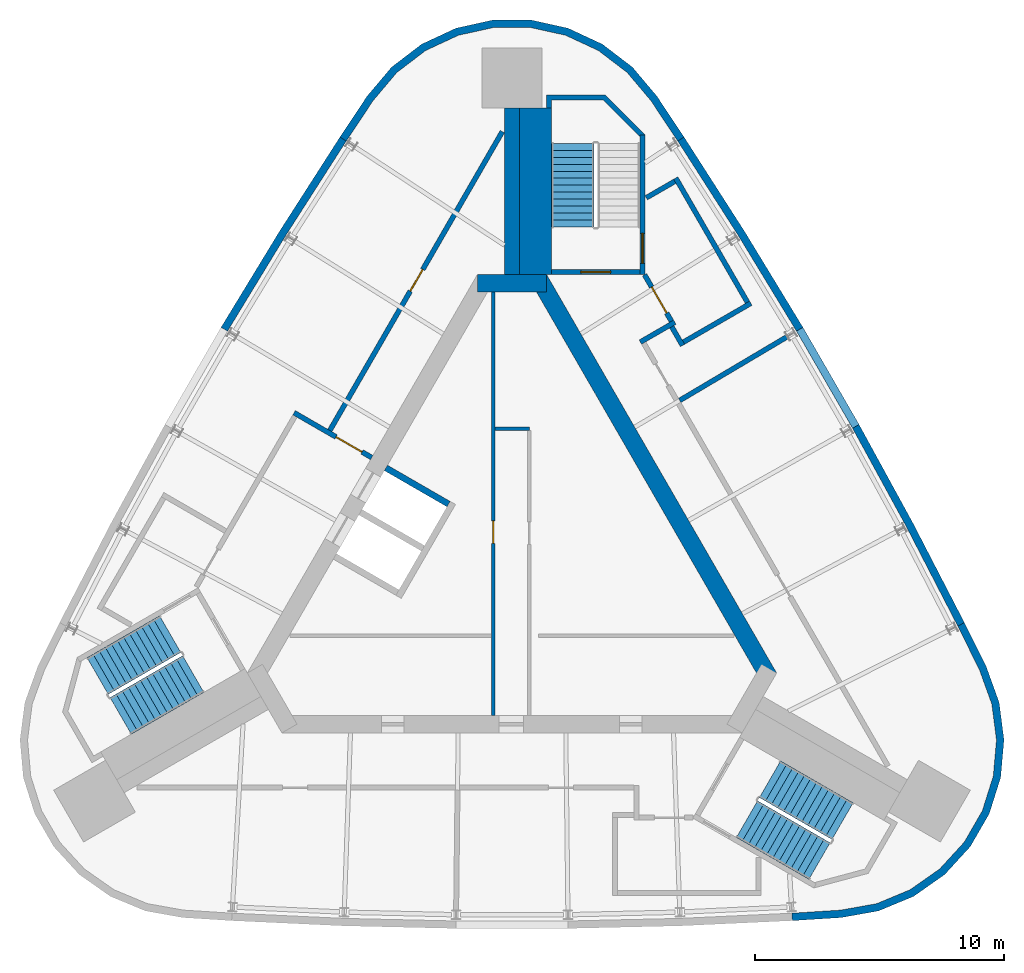
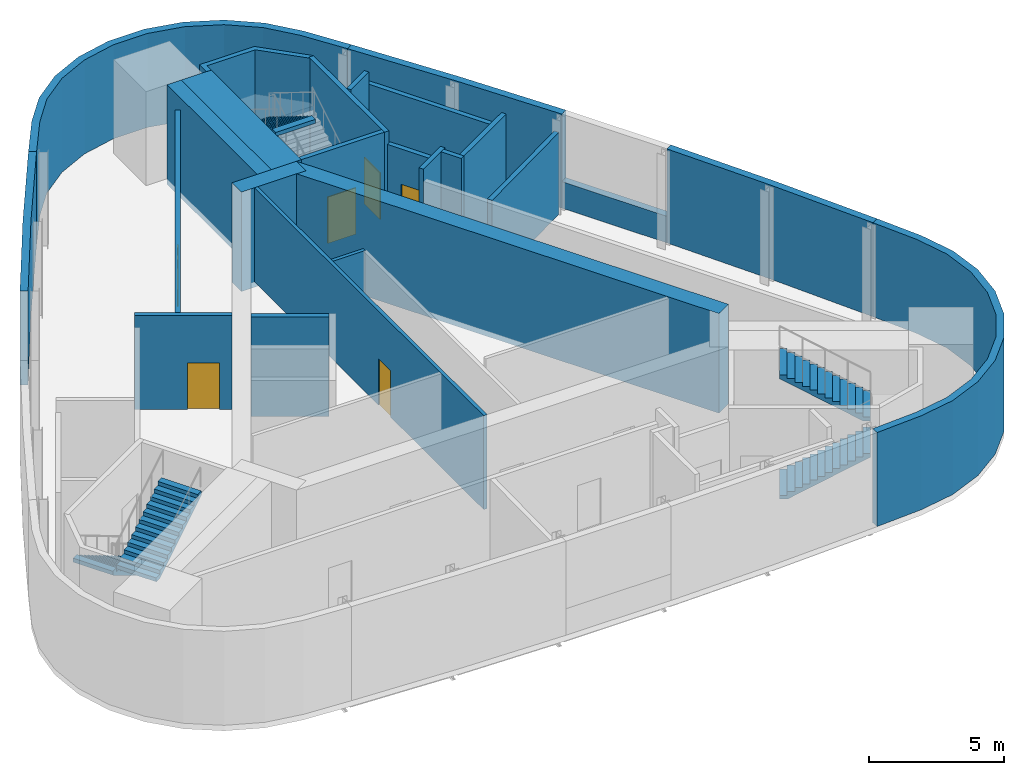
# One storey, part 5 of 7: 25 walls, 6 doors, 5 stair flights, 6 openings, 3 elements without a shape of their own.
"""IFC4 building model written with IfcOpenShell, lengths in metres."""

from ifc_helpers import new_model, si_unit, direction, frame, frame_2d, origin, place, context, subcontext, project, spatial, polyline, rectangle, outline, extrude, material, layer, layer_set, type_object, element, fill, aggregate, save


model = new_model("IFC4")

# Units and contexts
model_context = context("Model", 3, precision=1e-05, world=origin(), true_north=direction((0.0, 1.0)))
body_context = subcontext(model_context, "Body", "Model", "MODEL_VIEW")
ifc_project = project(units=[si_unit("LENGTHUNIT", "METRE"), si_unit("AREAUNIT", "SQUARE_METRE"), si_unit("VOLUMEUNIT", "CUBIC_METRE"), si_unit("PLANEANGLEUNIT", "RADIAN"), si_unit("MASSUNIT", "GRAM", prefix="KILO")], contexts=[model_context])

# Site, building, storey
site_placement = place(None, origin())
site = spatial("IfcSite", under=ifc_project, at=site_placement, CompositionType="ELEMENT")
building_placement = place(site_placement, origin())
building = spatial("IfcBuilding", under=site, at=building_placement, Name="Noor Cloister Tower", CompositionType="ELEMENT")
storey_placement = place(building_placement, frame((0.0, 0.0, 279.60009765625)))
storey = spatial("IfcBuildingStorey", under=building, at=storey_placement, Name="L71", CompositionType="ELEMENT", Elevation=279.60009765625)

# Wall
ifc_material_1 = material(Name="Concrete C50/60", Category="concrete")
ifc_layer_1 = layer(ifc_material_1, 0.60009765625)
ifc_layer_set_1 = layer_set([ifc_layer_1], Name="Buttress wall 600 C50/60")
wall_type_1 = type_object("IfcWallType", Name="Buttress wall 600 C50/60", PredefinedType="SHEAR", material=ifc_layer_set_1)
wall_1_placement = place(storey_placement, frame((0.0, 11.456298828125, -0.25), z_axis=(0.0, 0.0, 1.0), x_axis=(0.0, 1.0, 0.0)))
element("IfcWall", 1, at=wall_1_placement, inside=storey, type_object=wall_type_1, Name="Buttress wall N L71", PredefinedType="SHEAR", context=body_context, shape_type="SweptSolid", body=[
    extrude(rectangle(XDim=6.6787109375, YDim=0.60009765625, at=frame_2d((3.33935546875, 0.0))), origin(), (0.0, 0.0, 1.0), 4.5),
])

# Wall, opening, door
ifc_material_2 = material(Name="Concrete C30/37", Category="concrete")
ifc_layer_2 = layer(ifc_material_2, 0.14990234375)
ifc_layer_set_2 = layer_set([ifc_layer_2], Name="Core partition 150 C30/37")
wall_type_2 = type_object("IfcWallType", Name="Core partition 150 C30/37", PredefinedType="PARTITIONING", material=ifc_layer_set_2)
wall_2_placement = place(storey_placement, frame((-0.753662109375, 10.75634765625, 0.0), z_axis=(0.0, 0.0, 1.0), x_axis=(0.0, -1.0, 0.0)))
wall_2 = element("IfcWall", 2, at=wall_2_placement, inside=storey, type_object=wall_type_2, Name="Core room partition L71 2", PredefinedType="PARTITIONING", context=body_context, shape_type="SweptSolid", body=[
    extrude(rectangle(XDim=16.984619140625, YDim=0.14990234375, at=frame_2d((8.4921875, 0.0))), origin(), (0.0, 0.0, 1.0), 4.25),
])
opening_1_placement = place(wall_2_placement, frame((9.1845703125, 0.0, 0.0)))
opening_1 = element("IfcOpeningElement", 3, at=opening_1_placement, cuts=wall_2, Name="Opening L71-904", PredefinedType="OPENING", context=body_context, shape_type="SweptSolid", body=[
    extrude(rectangle(XDim=0.89990234375, YDim=2.10009765625, at=frame_2d((0.449951171875, 1.050048828125))), frame((0.0, 0.0849609375, 0.0), z_axis=(0.0, -1.0, 0.0), x_axis=(1.0, 0.0, 0.0)), (0.0, 0.0, 1.0), 0.169921875),
])
ifc_material_3 = material(Name="Steel", Category="steel")
door_type_1 = type_object("IfcDoorType", Name="Core door 900 x 2100 FD120", OperationType="SINGLE_SWING_LEFT", PredefinedType="DOOR", material=ifc_material_3)
door_1_placement = place(opening_1_placement, origin())
door_1 = element("IfcDoor", 4, at=door_1_placement, inside=storey, type_object=door_type_1, Name="Core door 4 L71", OperationType="SINGLE_SWING_RIGHT", OverallHeight=2.10009765625, OverallWidth=0.89990234375, PredefinedType="DOOR", context=body_context, shape_type="SweptSolid", body=[
    extrude(rectangle(XDim=0.89990234375, YDim=2.10009765625, at=frame_2d((0.449951171875, 1.050048828125))), frame((0.0, 0.02490234375, 0.0), z_axis=(0.0, -1.0, 0.0), x_axis=(1.0, 0.0, 0.0)), (0.0, 0.0, 1.0), 0.050048828125),
])
fill(opening_1, door_1)

# Walls
wall_3_placement = place(storey_placement, frame((-0.6787109375, 5.271728515625, 0.0), z_axis=(0.0, 0.0, 1.0), x_axis=(1.0, 0.0, 0.0)))
element("IfcWall", 5, at=wall_3_placement, inside=storey, type_object=wall_type_2, Name="Core room partition L71 3", PredefinedType="PARTITIONING", context=body_context, shape_type="SweptSolid", body=[
    extrude(rectangle(XDim=1.375, YDim=0.14990234375, at=frame_2d((0.6875, 0.0))), origin(), (0.0, 0.0, 1.0), 4.25),
])
ifc_material_4 = material(Name="Concrete C50/60", Category="concrete")
ifc_layer_3 = layer(ifc_material_4, 0.699951171875)
ifc_layer_set_3 = layer_set([ifc_layer_3], Name="Core wall 700 C50/60")
wall_type_3 = type_object("IfcWallType", Name="Core wall 700 C50/60", PredefinedType="SHEAR", material=ifc_layer_set_3)
wall_4_placement = place(storey_placement, frame((10.311279296875, -4.703125, -0.25), z_axis=(0.0, 0.0, 1.0), x_axis=(-0.500001446645, 0.866024568562, 0.0)))
element("IfcWall", 6, at=wall_4_placement, inside=storey, type_object=wall_type_3, Name="Core wall L71 3", PredefinedType="SHEAR", context=body_context, shape_type="SweptSolid", body=[
    extrude(rectangle(XDim=18.45751953125, YDim=0.699951171875, at=frame_2d((9.228759765625, 0.0))), origin(), (0.0, 0.0, 1.0), 4.5),
])
wall_5_placement = place(storey_placement, frame((1.3857421875, 11.1064453125, -0.25), z_axis=(0.0, 0.0, 1.0), x_axis=(-1.0, 0.0, 0.0)))
element("IfcWall", 7, at=wall_5_placement, inside=storey, type_object=wall_type_3, Name="Core wall L71 4", PredefinedType="SHEAR", context=body_context, shape_type="SweptSolid", body=[
    extrude(rectangle(XDim=2.771484375, YDim=0.699951171875, at=frame_2d((1.3857421875, 0.0))), origin(), (0.0, 0.0, 1.0), 4.5),
])
ifc_material_5 = material(Name="Limestone", Category="masonry")
ifc_layer_4 = layer(ifc_material_5, 0.300048828125)
ifc_layer_set_4 = layer_set([ifc_layer_4], Name="Limestone cladding 300")
wall_type_4 = type_object("IfcWallType", Name="Limestone cladding 300", PredefinedType="NOTDEFINED", material=ifc_layer_set_4)
wall_6_placement = place(storey_placement, origin())
element("IfcWall", 8, at=wall_6_placement, inside=storey, type_object=wall_type_4, Name="Limestone pier cladding L71 2.1", PredefinedType="NOTDEFINED", context=body_context, shape_type="SweptSolid", body=[
    extrude(outline(polyline([(11.24365234375, -14.46044921875), (13.21142578125, -14.336181640625), (14.707763671875, -14.068603515625), (16.11083984375, -13.484619140625), (17.35498046875, -12.611083984375), (18.381103515625, -11.489990234375), (19.14111328125, -10.173583984375), (19.59912109375, -8.724365234375), (19.7333984375, -7.210205078125), (19.53759765625, -5.702880859375), (19.021240234375, -4.2734375), (18.14501953125, -2.507080078125), (17.876220703125, -2.640380859375), (18.744873046875, -4.391357421875), (19.244384765625, -5.77392578125), (19.431640625, -7.21630859375), (19.30322265625, -8.6650390625), (18.864990234375, -10.052001953125), (18.1376953125, -11.3115234375), (17.15576171875, -12.384521484375), (15.96533203125, -13.22021484375), (14.62255859375, -13.779052734375), (13.175537109375, -14.037841796875), (11.224853515625, -14.1611328125), (11.24365234375, -14.46044921875)])), origin(), (0.0, 0.0, 1.0), 4.25),
])
wall_7_placement = place(storey_placement, origin())
element("IfcWall", 9, at=wall_7_placement, inside=storey, type_object=wall_type_4, Name="Limestone pier cladding L71 3.1", PredefinedType="NOTDEFINED", context=body_context, shape_type="SweptSolid", body=[
    extrude(outline(polyline([(6.9013671875, 16.967529296875), (5.809814453125, 18.609619140625), (4.830078125, 19.771484375), (3.62255859375, 20.69482421875), (2.244140625, 21.33544921875), (0.760009765625, 21.66357421875), (-0.760009765625, 21.66357421875), (-2.244140625, 21.33544921875), (-3.62255859375, 20.69482421875), (-4.830078125, 19.771484375), (-5.809814453125, 18.609619140625), (-6.9013671875, 16.967529296875), (-6.6513671875, 16.801513671875), (-5.5693359375, 18.42919921875), (-4.621826171875, 19.55322265625), (-3.46630859375, 20.4365234375), (-2.1474609375, 21.049560546875), (-0.727294921875, 21.363525390625), (0.727294921875, 21.363525390625), (2.1474609375, 21.049560546875), (3.46630859375, 20.4365234375), (4.621826171875, 19.55322265625), (5.5693359375, 18.42919921875), (6.6513671875, 16.801513671875), (6.9013671875, 16.967529296875)])), origin(), (0.0, 0.0, 1.0), 4.25),
])
ifc_material_6 = material(Name="Limestone", Category="masonry")
ifc_layer_5 = layer(ifc_material_6, 0.300048828125)
ifc_layer_set_5 = layer_set([ifc_layer_5], Name="Limestone panel wall 300")
wall_type_5 = type_object("IfcWallType", Name="Limestone panel wall 300", PredefinedType="NOTDEFINED", material=ifc_layer_set_5)
wall_8_placement = place(storey_placement, origin())
element("IfcWall", 10, at=wall_8_placement, inside=storey, type_object=wall_type_5, Name="Limestone crown wall L71 1a", PredefinedType="NOTDEFINED", context=body_context, shape_type="SweptSolid", body=[
    extrude(outline(polyline([(-6.9013671875, 16.967529296875), (-9.32958984375, 13.178955078125), (-11.669189453125, 9.335205078125), (-11.4130859375, 9.17919921875), (-9.074951171875, 13.02001953125), (-6.648681640625, 16.8056640625), (-6.9013671875, 16.967529296875)])), origin(), (0.0, 0.0, 1.0), 4.25),
])
wall_9_placement = place(storey_placement, origin())
element("IfcWall", 11, at=wall_9_placement, inside=storey, type_object=wall_type_5, Name="Limestone crown wall L71 3a", PredefinedType="NOTDEFINED", context=body_context, shape_type="SweptSolid", body=[
    extrude(outline(polyline([(18.14501953125, -2.507080078125), (16.078125, 1.489990234375), (13.919189453125, 5.438232421875), (13.656005859375, 5.294189453125), (15.813232421875, 1.34912109375), (17.87841796875, -2.644775390625), (18.14501953125, -2.507080078125)])), origin(), (0.0, 0.0, 1.0), 4.25),
])
wall_10_placement = place(storey_placement, origin())
element("IfcWall", 12, at=wall_10_placement, inside=storey, type_object=wall_type_5, Name="Limestone crown wall L71 3b", PredefinedType="NOTDEFINED", context=body_context, shape_type="SweptSolid", body=[
    extrude(outline(polyline([(11.669189453125, 9.335205078125), (9.32958984375, 13.178955078125), (6.9013671875, 16.967529296875), (6.648681640625, 16.8056640625), (9.074951171875, 13.02001953125), (11.4130859375, 9.17919921875), (11.669189453125, 9.335205078125)])), origin(), (0.0, 0.0, 1.0), 4.25),
])
wall_11_placement = place(storey_placement, origin())
element("IfcWall", 13, at=wall_11_placement, inside=storey, type_object=wall_type_5, Name="Limestone crown wall L71 3 lower", PredefinedType="NOTDEFINED", context=body_context, shape_type="SweptSolid", body=[
    extrude(outline(polyline([(13.919189453125, 5.438232421875), (11.669189453125, 9.335205078125), (11.409423828125, 9.185302734375), (13.659423828125, 5.288330078125), (13.919189453125, 5.438232421875)])), origin(), (0.0, 0.0, 1.0), 1.199951171875),
])
ifc_material_7 = material(Name="Concrete C50/60", Category="concrete")
ifc_layer_6 = layer(ifc_material_7, 0.25)
ifc_layer_set_6 = layer_set([ifc_layer_6], Name="Shaft wall 250 C50/60")
wall_type_6 = type_object("IfcWallType", Name="Shaft wall 250 C50/60", PredefinedType="PARTITIONING", material=ifc_layer_set_6)
wall_12_placement = place(storey_placement, frame((-5.056396484375, 3.69873046875, -0.25), z_axis=(0.0, 0.0, 1.0), x_axis=(0.866032775405, -0.499987231761, 0.0)))
element("IfcWall", 14, at=wall_12_placement, inside=storey, type_object=wall_type_6, Name="Lift shaft wall L71 NW 3", PredefinedType="PARTITIONING", context=body_context, shape_type="SweptSolid", body=[
    extrude(rectangle(XDim=2.89990234375, YDim=0.25, at=frame_2d((1.449951171875, 0.0))), origin(), (0.0, 0.0, 1.0), 4.5),
])
ifc_material_8 = material(Name="Concrete C50/60", Category="concrete")
ifc_layer_7 = layer(ifc_material_8, 1.285888671875)
ifc_layer_set_7 = layer_set([ifc_layer_7], Name="Stair enclosure wall 1286 C50/60")
wall_type_7 = type_object("IfcWallType", Name="Stair enclosure wall 1286 C50/60", PredefinedType="SHEAR", material=ifc_layer_set_7)
wall_13_placement = place(storey_placement, frame((0.94287109375, 11.456298828125, -0.25), z_axis=(0.0, 0.0, 1.0), x_axis=(0.0, 1.0, 0.0)))
element("IfcWall", 15, at=wall_13_placement, inside=storey, type_object=wall_type_7, Name="Stair enclosure wall ST1 L71 riser side", PredefinedType="SHEAR", context=body_context, shape_type="SweptSolid", body=[
    extrude(rectangle(XDim=6.6787109375, YDim=1.28564453125, at=frame_2d((3.33935546875, 0.0))), origin(), (0.0, 0.0, 1.0), 4.5),
])

# Wall, opening, door
ifc_material_9 = material(Name="Concrete C50/60", Category="concrete")
ifc_layer_8 = layer(ifc_material_9, 0.199951171875)
ifc_layer_set_8 = layer_set([ifc_layer_8], Name="Stair enclosure wall 200 C50/60")
wall_type_8 = type_object("IfcWallType", Name="Stair enclosure wall 200 C50/60", PredefinedType="SHEAR", material=ifc_layer_set_8)
wall_14_placement = place(storey_placement, frame((5.135498046875, 11.556396484375, -0.25), z_axis=(0.0, 0.0, 1.0), x_axis=(-1.0, 0.0, 0.0)))
wall_14 = element("IfcWall", 16, at=wall_14_placement, inside=storey, type_object=wall_type_8, Name="Stair enclosure wall ST1 L71 near end", PredefinedType="SHEAR", context=body_context, shape_type="SweptSolid", body=[
    extrude(rectangle(XDim=3.5498046875, YDim=0.199951171875, at=frame_2d((1.77490234375, 0.0))), origin(), (0.0, 0.0, 1.0), 4.5),
])
opening_2_placement = place(wall_14_placement, frame((1.175048828125, 0.0, 0.25)))
opening_2 = element("IfcOpeningElement", 17, at=opening_2_placement, cuts=wall_14, Name="Opening L71-ST1L", PredefinedType="OPENING", context=body_context, shape_type="SweptSolid", body=[
    extrude(rectangle(XDim=1.199951171875, YDim=2.10009765625, at=frame_2d((0.60009765625, 1.050048828125))), frame((0.0, 0.10986328125, 0.0), z_axis=(0.0, -1.0, 0.0), x_axis=(1.0, 0.0, 0.0)), (0.0, 0.0, 1.0), 0.219970703125),
])
ifc_material_10 = material(Name="Steel", Category="steel")
door_type_2 = type_object("IfcDoorType", Name="Stair door 1200 x 2100 FD120", OperationType="SINGLE_SWING_LEFT", PredefinedType="DOOR", material=ifc_material_10)
door_2_placement = place(opening_2_placement, origin())
door_2 = element("IfcDoor", 18, at=door_2_placement, inside=storey, type_object=door_type_2, Name="Stair door ST1 L71", OperationType="SINGLE_SWING_RIGHT", OverallHeight=2.10009765625, OverallWidth=1.199951171875, PredefinedType="DOOR", context=body_context, shape_type="SweptSolid", body=[
    extrude(rectangle(XDim=1.199951171875, YDim=2.10009765625, at=frame_2d((0.60009765625, 1.050048828125))), frame((0.0, 0.02490234375, 0.0), z_axis=(0.0, -1.0, 0.0), x_axis=(1.0, 0.0, 0.0)), (0.0, 0.0, 1.0), 0.050048828125),
])
fill(opening_2, door_2)

wall_15_placement = place(storey_placement, frame((5.235595703125, 11.456298828125, -0.25), z_axis=(0.0, 0.0, 1.0), x_axis=(0.0, 1.0, 0.0)))
wall_15 = element("IfcWall", 19, at=wall_15_placement, inside=storey, type_object=wall_type_8, Name="Stair enclosure wall ST1 L71 outer side", PredefinedType="SHEAR", context=body_context, shape_type="SweptSolid", body=[
    extrude(rectangle(XDim=5.60009765625, YDim=0.199951171875, at=frame_2d((2.800048828125, 0.0))), origin(), (0.0, 0.0, 1.0), 4.5),
])
opening_3_placement = place(wall_15_placement, frame((0.449951171875, 0.0, 0.25)))
opening_3 = element("IfcOpeningElement", 20, at=opening_3_placement, cuts=wall_15, Name="Opening L71-ST1C", PredefinedType="OPENING", context=body_context, shape_type="SweptSolid", body=[
    extrude(rectangle(XDim=1.199951171875, YDim=2.10009765625, at=frame_2d((0.60009765625, 1.050048828125))), frame((0.0, 0.10986328125, 0.0), z_axis=(0.0, -1.0, 0.0), x_axis=(1.0, 0.0, 0.0)), (0.0, 0.0, 1.0), 0.219970703125),
])
door_3_placement = place(opening_3_placement, origin())
door_3 = element("IfcDoor", 21, at=door_3_placement, inside=storey, type_object=door_type_2, Name="Stair door ST1 L71", OperationType="SINGLE_SWING_LEFT", OverallHeight=2.10009765625, OverallWidth=1.199951171875, PredefinedType="DOOR", context=body_context, shape_type="SweptSolid", body=[
    extrude(rectangle(XDim=1.199951171875, YDim=2.10009765625, at=frame_2d((0.60009765625, 1.050048828125))), frame((0.0, 0.02490234375, 0.0), z_axis=(0.0, -1.0, 0.0), x_axis=(1.0, 0.0, 0.0)), (0.0, 0.0, 1.0), 0.050048828125),
])
fill(opening_3, door_3)

# Wall
ifc_material_11 = material(Name="Concrete C50/60", Category="concrete")
wall_type_9 = type_object("IfcWallType", Name="Stair far end wall C50/60", PredefinedType="SHEAR", material=ifc_material_11)
wall_16_placement = place(storey_placement, frame((0.0, 0.0, -0.25)))
element("IfcWall", 22, at=wall_16_placement, inside=storey, type_object=wall_type_9, Name="Stair enclosure wall ST1 L71 far end", PredefinedType="SHEAR", context=body_context, shape_type="SweptSolid", body=[
    extrude(outline(polyline([(5.335693359375, 17.056396484375), (3.735595703125, 18.656494140625), (1.385498046875, 18.656494140625), (1.385498046875, 18.135009765625), (1.585693359375, 18.135009765625), (1.585693359375, 18.456298828125), (3.65283203125, 18.456298828125), (5.135498046875, 16.9736328125), (5.135498046875, 17.056396484375), (5.135498046875, 17.056396484375), (5.135498046875, 17.056396484375), (5.135498046875, 17.056396484375), (5.135498046875, 17.056396484375), (5.135498046875, 17.056396484375), (5.135498046875, 17.056396484375), (5.135498046875, 17.056396484375), (5.135498046875, 17.056396484375), (5.135498046875, 17.056396484375), (5.135498046875, 17.056396484375), (5.135498046875, 17.056396484375), (5.135498046875, 17.056396484375), (5.135498046875, 17.056396484375), (5.135498046875, 17.056396484375), (5.135498046875, 17.056396484375), (5.135498046875, 17.056396484375), (5.335693359375, 17.056396484375)])), origin(), (0.0, 0.0, 1.0), 4.5),
])

# Wall, opening, door
ifc_material_12 = material(Name="Concrete block wall, 200 mm", Category="concrete")
ifc_layer_9 = layer(ifc_material_12, 0.199951171875)
ifc_layer_set_9 = layer_set([ifc_layer_9], Name="Upper floor plant room wall 200")
wall_type_10 = type_object("IfcWallType", Name="Upper floor plant room wall 200", PredefinedType="PARTITIONING", material=ifc_layer_set_9)
wall_17_placement = place(storey_placement, frame((-8.740966796875, 5.91259765625, 0.0), z_axis=(0.0, 0.0, 1.0), x_axis=(0.866017220491, -0.500014173611, 0.0)))
wall_17 = element("IfcWall", 23, at=wall_17_placement, inside=storey, type_object=wall_type_10, Name="Upper floor plant room wall 200 L71 001", PredefinedType="PARTITIONING", context=body_context, shape_type="SweptSolid", body=[
    extrude(rectangle(XDim=3.59814453125, YDim=0.199951171875, at=frame_2d((1.799072265625, 0.0))), origin(), (0.0, 0.0, 1.0), 4.25),
])
opening_4_placement = place(wall_17_placement, frame((1.947509765625, 0.0, 0.0)))
opening_4 = element("IfcOpeningElement", 24, at=opening_4_placement, cuts=wall_17, Name="Opening L71-002", PredefinedType="OPENING", context=body_context, shape_type="SweptSolid", body=[
    extrude(rectangle(XDim=1.199951171875, YDim=2.10009765625, at=frame_2d((0.60009765625, 1.050048828125))), frame((0.0, 0.10986328125, 0.0), z_axis=(0.0, -1.0, 0.0), x_axis=(1.0, 0.0, 0.0)), (0.0, 0.0, 1.0), 0.219970703125),
])
ifc_material_13 = material(Name="Timber door leaf with steel frame", Category="steel")
door_type_3 = type_object("IfcDoorType", Name="Firefighting lobby door 1200", OperationType="NOTDEFINED", PredefinedType="DOOR", material=ifc_material_13)
door_4_placement = place(opening_4_placement, origin())
door_4 = element("IfcDoor", 25, at=door_4_placement, inside=storey, type_object=door_type_3, Name="Firefighting lobby door 1200 L71-002", OperationType="SINGLE_SWING_RIGHT", OverallHeight=2.10009765625, OverallWidth=1.199951171875, PredefinedType="DOOR", context=body_context, shape_type="SweptSolid", body=[
    extrude(rectangle(XDim=1.199951171875, YDim=2.10009765625, at=frame_2d((0.60009765625, 1.050048828125))), frame((0.0, 0.02490234375, 0.0), z_axis=(0.0, -1.0, 0.0), x_axis=(1.0, 0.0, 0.0)), (0.0, 0.0, 1.0), 0.050048828125),
])
fill(opening_4, door_4)

wall_18_placement = place(storey_placement, frame((-7.30712890625, 5.2001953125, 0.0), z_axis=(0.0, 0.0, 1.0), x_axis=(0.49999780173, 0.866026672953, 0.0)))
wall_18 = element("IfcWall", 26, at=wall_18_placement, inside=storey, type_object=wall_type_10, Name="Upper floor plant room wall 200 L71 004", PredefinedType="PARTITIONING", context=body_context, shape_type="SweptSolid", body=[
    extrude(rectangle(XDim=13.8408203125, YDim=0.199951171875, at=frame_2d((6.92041015625, 0.0))), origin(), (0.0, 0.0, 1.0), 3.701904296875),
])
opening_5_placement = place(wall_18_placement, frame((6.453857421875, 0.0, 0.0)))
opening_5 = element("IfcOpeningElement", 27, at=opening_5_placement, cuts=wall_18, Name="Opening L71-001", PredefinedType="OPENING", context=body_context, shape_type="SweptSolid", body=[
    extrude(rectangle(XDim=1.0, YDim=2.10009765625, at=frame_2d((0.5, 1.050048828125))), frame((0.0, 0.10986328125, 0.0), z_axis=(0.0, -1.0, 0.0), x_axis=(1.0, 0.0, 0.0)), (0.0, 0.0, 1.0), 0.219970703125),
])
ifc_material_14 = material(Name="Timber door leaf with steel frame", Category="steel")
door_type_4 = type_object("IfcDoorType", Name="Plant room door 1000", OperationType="NOTDEFINED", PredefinedType="DOOR", material=ifc_material_14)
door_5_placement = place(opening_5_placement, origin())
door_5 = element("IfcDoor", 28, at=door_5_placement, inside=storey, type_object=door_type_4, Name="Plant room door 1000 L71-001", OperationType="SINGLE_SWING_RIGHT", OverallHeight=2.10009765625, OverallWidth=1.0, PredefinedType="DOOR", context=body_context, shape_type="SweptSolid", body=[
    extrude(rectangle(XDim=1.0, YDim=2.10009765625, at=frame_2d((0.5, 1.050048828125))), frame((0.0, 0.02490234375, 0.0), z_axis=(0.0, -1.0, 0.0), x_axis=(1.0, 0.0, 0.0)), (0.0, 0.0, 1.0), 0.050048828125),
])
fill(opening_5, door_5)

# Walls
wall_19_placement = place(storey_placement, frame((6.407958984375, 9.357666015625, 0.0), z_axis=(0.0, 0.0, 1.0), x_axis=(0.49996696679, -0.866044474677, 0.0)))
element("IfcWall", 29, at=wall_19_placement, inside=storey, type_object=wall_type_10, Name="Upper floor plant room wall 200 L71 015", PredefinedType="PARTITIONING", context=body_context, shape_type="SweptSolid", body=[
    extrude(rectangle(XDim=0.8642578125, YDim=0.199951171875, at=frame_2d((0.43212890625, 0.0))), origin(), (0.0, 0.0, 1.0), 4.25),
])
wall_20_placement = place(storey_placement, frame((5.147216796875, 8.7451171875, 0.0), z_axis=(0.0, 0.0, 1.0), x_axis=(0.865987117328, 0.500066308224, 0.0)))
element("IfcWall", 30, at=wall_20_placement, inside=storey, type_object=wall_type_10, Name="Upper floor plant room wall 200 L71 016", PredefinedType="PARTITIONING", context=body_context, shape_type="SweptSolid", body=[
    extrude(rectangle(XDim=1.597900390625, YDim=0.199951171875, at=frame_2d((0.798828125, 0.0))), origin(), (0.0, 0.0, 1.0), 4.25),
])

# Wall, opening, door
wall_21_placement = place(storey_placement, frame((6.39453125, 9.580810546875, 0.0), z_axis=(0.0, 0.0, 1.0), x_axis=(-0.500003735859, 0.866023246874, 0.0)))
wall_21 = element("IfcWall", 31, at=wall_21_placement, inside=storey, type_object=wall_type_10, Name="Upper floor plant room wall 200 L71 017", PredefinedType="PARTITIONING", context=body_context, shape_type="SweptSolid", body=[
    extrude(rectangle(XDim=2.15380859375, YDim=0.199951171875, at=frame_2d((1.076904296875, 0.0))), origin(), (0.0, 0.0, 1.0), 3.701904296875),
])
opening_6_placement = place(wall_21_placement, frame((0.383056640625, 0.0, 0.0)))
opening_6 = element("IfcOpeningElement", 32, at=opening_6_placement, cuts=wall_21, Name="Opening L71-009", PredefinedType="OPENING", context=body_context, shape_type="SweptSolid", body=[
    extrude(rectangle(XDim=1.199951171875, YDim=2.10009765625, at=frame_2d((0.60009765625, 1.050048828125))), frame((0.0, 0.10986328125, 0.0), z_axis=(0.0, -1.0, 0.0), x_axis=(1.0, 0.0, 0.0)), (0.0, 0.0, 1.0), 0.219970703125),
])
ifc_material_15 = material(Name="Timber door leaf with steel frame", Category="steel")
door_type_5 = type_object("IfcDoorType", Name="Protected lobby door 1200", OperationType="NOTDEFINED", PredefinedType="DOOR", material=ifc_material_15)
door_6_placement = place(opening_6_placement, origin())
door_6 = element("IfcDoor", 33, at=door_6_placement, inside=storey, type_object=door_type_5, Name="Protected lobby door 1200 L71-009", OperationType="SINGLE_SWING_LEFT", OverallHeight=2.10009765625, OverallWidth=1.199951171875, PredefinedType="DOOR", context=body_context, shape_type="SweptSolid", body=[
    extrude(rectangle(XDim=1.199951171875, YDim=2.10009765625, at=frame_2d((0.60009765625, 1.050048828125))), frame((0.0, 0.02490234375, 0.0), z_axis=(0.0, -1.0, 0.0), x_axis=(1.0, 0.0, 0.0)), (0.0, 0.0, 1.0), 0.050048828125),
])
fill(opening_6, door_6)

# Walls
wall_22_placement = place(storey_placement, frame((6.72802734375, 6.405517578125, 0.0), z_axis=(0.0, 0.0, 1.0), x_axis=(0.860154706705, 0.510033215128, 0.0)))
element("IfcWall", 34, at=wall_22_placement, inside=storey, type_object=wall_type_10, Name="Upper floor plant room wall 200 L71 019", PredefinedType="PARTITIONING", context=body_context, shape_type="SweptSolid", body=[
    extrude(rectangle(XDim=5.044189453125, YDim=0.199951171875, at=frame_2d((2.52197265625, 0.0))), origin(), (0.0, 0.0, 1.0), 3.701904296875),
])
wall_23_placement = place(storey_placement, frame((6.877685546875, 8.743896484375, 0.0), z_axis=(0.0, 0.0, 1.0), x_axis=(0.866023983177, 0.500002460556, 0.0)))
element("IfcWall", 35, at=wall_23_placement, inside=storey, type_object=wall_type_10, Name="Upper floor plant room wall 200 L71 020", PredefinedType="PARTITIONING", context=body_context, shape_type="SweptSolid", body=[
    extrude(rectangle(XDim=3.11962890625, YDim=0.199951171875, at=frame_2d((1.559814453125, 0.0))), origin(), (0.0, 0.0, 1.0), 4.25),
])
wall_24_placement = place(storey_placement, frame((6.566162109375, 15.326904296875, 0.0), z_axis=(0.0, 0.0, 1.0), x_axis=(0.499997778408, -0.866026686418, 0.0)))
element("IfcWall", 36, at=wall_24_placement, inside=storey, type_object=wall_type_10, Name="Upper floor plant room wall 200 L71 021", PredefinedType="PARTITIONING", context=body_context, shape_type="SweptSolid", body=[
    extrude(rectangle(XDim=5.7568359375, YDim=0.199951171875, at=frame_2d((2.87841796875, 0.0))), origin(), (0.0, 0.0, 1.0), 3.701904296875),
])
wall_25_placement = place(storey_placement, frame((6.528564453125, 15.19189453125, 0.0), z_axis=(0.0, 0.0, 1.0), x_axis=(-0.866117824122, -0.499839889103, 0.0)))
element("IfcWall", 37, at=wall_25_placement, inside=storey, type_object=wall_type_10, Name="Upper floor plant room wall 200 L71 022", PredefinedType="PARTITIONING", context=body_context, shape_type="SweptSolid", body=[
    extrude(rectangle(XDim=1.31982421875, YDim=0.199951171875, at=frame_2d((0.659912109375, 0.0))), origin(), (0.0, 0.0, 1.0), 4.25),
])

# Stair, stair flight
ifc_material_16 = material(Name="Concrete C40/50", Category="concrete")
stair_type = type_object("IfcStairType", Name="Exit stair 26 risers", PredefinedType="HALF_TURN_STAIR", material=ifc_material_16)
stair_1_placement = place(storey_placement, origin())
stair_1 = element("IfcStair", 38, at=stair_1_placement, inside=storey, type_object=stair_type, Name="Exit stair ST1 L71", PredefinedType="HALF_TURN_STAIR")
ifc_material_17 = material(Name="Concrete C40/50", Category="concrete")
stair_flight_type = type_object("IfcStairFlightType", Name="Exit stair flight", PredefinedType="STRAIGHT", material=ifc_material_17)
stair_flight_1_placement = place(storey_placement, frame((2.435546875, 16.71630859375, 2.25), z_axis=(0.0, 0.0, 1.0), x_axis=(0.0, -1.0, 0.0)))
stair_flight_1 = element("IfcStairFlight", 39, at=stair_flight_1_placement, type_object=stair_flight_type, Name="ST1 flight 2", NumberOfRisers=13, NumberOfTreads=12, PredefinedType="STRAIGHT", RiserHeight=0.173076923, TreadLength=0.28, context=body_context, shape_type="SweptSolid", body=[
    extrude(outline(polyline([(0.0, 0.0), (0.0, 0.173095703125), (0.280029296875, 0.173095703125), (0.280029296875, 0.34619140625), (0.56005859375, 0.34619140625), (0.56005859375, 0.519287109375), (0.840087890625, 0.519287109375), (0.840087890625, 0.6923828125), (1.1201171875, 0.6923828125), (1.1201171875, 0.865478515625), (1.39990234375, 0.865478515625), (1.39990234375, 1.03857421875), (1.679931640625, 1.03857421875), (1.679931640625, 1.21142578125), (1.9599609375, 1.21142578125), (1.9599609375, 1.384521484375), (2.239990234375, 1.384521484375), (2.239990234375, 1.5576171875), (2.52001953125, 1.5576171875), (2.52001953125, 1.730712890625), (2.800048828125, 1.730712890625), (2.800048828125, 1.90380859375), (3.080078125, 1.90380859375), (3.080078125, 2.076904296875), (3.360107421875, 2.076904296875), (3.360107421875, 2.25), (3.360107421875, 1.900634765625), (0.28515625, 0.0), (0.0, 0.0)])), frame((0.0, 0.85009765625, 0.0), z_axis=(0.0, -1.0, 0.0), x_axis=(1.0, 0.0, 0.0)), (0.0, 0.0, 1.0), 1.699951171875),
])
aggregate(stair_1, [stair_flight_1])

# Stair, stair flights
stair_2_placement = place(storey_placement, origin())
stair_2 = element("IfcStair", 40, at=stair_2_placement, inside=storey, type_object=stair_type, Name="Exit stair ST2 L71", PredefinedType="HALF_TURN_STAIR")
stair_flight_2_placement = place(storey_placement, frame((-13.709716796875, -2.966796875, 0.0), z_axis=(0.0, 0.0, 1.0), x_axis=(-0.866025403784, -0.5, 0.0)))
stair_flight_2 = element("IfcStairFlight", 41, at=stair_flight_2_placement, type_object=stair_flight_type, Name="ST2 flight 1", NumberOfRisers=13, NumberOfTreads=12, PredefinedType="STRAIGHT", RiserHeight=0.173076923, TreadLength=0.28, context=body_context, shape_type="SweptSolid", body=[
    extrude(outline(polyline([(0.0, 0.0), (0.0, 0.173095703125), (0.280029296875, 0.173095703125), (0.280029296875, 0.34619140625), (0.56005859375, 0.34619140625), (0.56005859375, 0.519287109375), (0.840087890625, 0.519287109375), (0.840087890625, 0.6923828125), (1.1201171875, 0.6923828125), (1.1201171875, 0.865478515625), (1.39990234375, 0.865478515625), (1.39990234375, 1.03857421875), (1.679931640625, 1.03857421875), (1.679931640625, 1.21142578125), (1.9599609375, 1.21142578125), (1.9599609375, 1.384521484375), (2.239990234375, 1.384521484375), (2.239990234375, 1.5576171875), (2.52001953125, 1.5576171875), (2.52001953125, 1.730712890625), (2.800048828125, 1.730712890625), (2.800048828125, 1.90380859375), (3.080078125, 1.90380859375), (3.080078125, 2.076904296875), (3.360107421875, 2.076904296875), (3.360107421875, 2.25), (3.360107421875, 1.900634765625), (0.28515625, 0.0), (0.0, 0.0)])), frame((0.0, 0.85009765625, 0.0), z_axis=(0.0, -1.0, 0.0), x_axis=(1.0, 0.0, 0.0)), (0.0, 0.0, 1.0), 1.699951171875),
])
stair_flight_3_placement = place(storey_placement, frame((-15.694580078125, -6.248779296875, 2.25), z_axis=(0.0, 0.0, 1.0), x_axis=(0.866025403784, 0.5, 0.0)))
stair_flight_3 = element("IfcStairFlight", 42, at=stair_flight_3_placement, type_object=stair_flight_type, Name="ST2 flight 2", NumberOfRisers=13, NumberOfTreads=12, PredefinedType="STRAIGHT", RiserHeight=0.173076923, TreadLength=0.28, context=body_context, shape_type="SweptSolid", body=[
    extrude(outline(polyline([(0.0, 0.0), (0.0, 0.173095703125), (0.280029296875, 0.173095703125), (0.280029296875, 0.34619140625), (0.56005859375, 0.34619140625), (0.56005859375, 0.519287109375), (0.840087890625, 0.519287109375), (0.840087890625, 0.6923828125), (1.1201171875, 0.6923828125), (1.1201171875, 0.865478515625), (1.39990234375, 0.865478515625), (1.39990234375, 1.03857421875), (1.679931640625, 1.03857421875), (1.679931640625, 1.21142578125), (1.9599609375, 1.21142578125), (1.9599609375, 1.384521484375), (2.239990234375, 1.384521484375), (2.239990234375, 1.5576171875), (2.52001953125, 1.5576171875), (2.52001953125, 1.730712890625), (2.800048828125, 1.730712890625), (2.800048828125, 1.90380859375), (3.080078125, 1.90380859375), (3.080078125, 2.076904296875), (3.360107421875, 2.076904296875), (3.360107421875, 2.25), (3.360107421875, 1.900634765625), (0.28515625, 0.0), (0.0, 0.0)])), frame((0.0, 0.85009765625, 0.0), z_axis=(0.0, -1.0, 0.0), x_axis=(1.0, 0.0, 0.0)), (0.0, 0.0, 1.0), 1.699951171875),
])
aggregate(stair_2, [stair_flight_2, stair_flight_3])

stair_3_placement = place(storey_placement, origin())
stair_3 = element("IfcStair", 43, at=stair_3_placement, inside=storey, type_object=stair_type, Name="Exit stair ST3 L71", PredefinedType="HALF_TURN_STAIR")
stair_flight_4_placement = place(storey_placement, frame((9.424072265625, -10.3896484375, 0.0), z_axis=(0.0, 0.0, 1.0), x_axis=(0.866025403784, -0.5, 0.0)))
stair_flight_4 = element("IfcStairFlight", 44, at=stair_flight_4_placement, type_object=stair_flight_type, Name="ST3 flight 1", NumberOfRisers=13, NumberOfTreads=12, PredefinedType="STRAIGHT", RiserHeight=0.173076923, TreadLength=0.28, context=body_context, shape_type="SweptSolid", body=[
    extrude(outline(polyline([(0.0, 0.0), (0.0, 0.173095703125), (0.280029296875, 0.173095703125), (0.280029296875, 0.34619140625), (0.56005859375, 0.34619140625), (0.56005859375, 0.519287109375), (0.840087890625, 0.519287109375), (0.840087890625, 0.6923828125), (1.1201171875, 0.6923828125), (1.1201171875, 0.865478515625), (1.39990234375, 0.865478515625), (1.39990234375, 1.03857421875), (1.679931640625, 1.03857421875), (1.679931640625, 1.21142578125), (1.9599609375, 1.21142578125), (1.9599609375, 1.384521484375), (2.239990234375, 1.384521484375), (2.239990234375, 1.5576171875), (2.52001953125, 1.5576171875), (2.52001953125, 1.730712890625), (2.800048828125, 1.730712890625), (2.800048828125, 1.90380859375), (3.080078125, 1.90380859375), (3.080078125, 2.076904296875), (3.360107421875, 2.076904296875), (3.360107421875, 2.25), (3.360107421875, 1.900634765625), (0.28515625, 0.0), (0.0, 0.0)])), frame((0.0, 0.85009765625, 0.0), z_axis=(0.0, -1.0, 0.0), x_axis=(1.0, 0.0, 0.0)), (0.0, 0.0, 1.0), 1.699951171875),
])
stair_flight_5_placement = place(storey_placement, frame((13.259033203125, -10.467529296875, 2.25), z_axis=(0.0, 0.0, 1.0), x_axis=(-0.866025403784, 0.5, 0.0)))
stair_flight_5 = element("IfcStairFlight", 45, at=stair_flight_5_placement, type_object=stair_flight_type, Name="ST3 flight 2", NumberOfRisers=13, NumberOfTreads=12, PredefinedType="STRAIGHT", RiserHeight=0.173076923, TreadLength=0.28, context=body_context, shape_type="SweptSolid", body=[
    extrude(outline(polyline([(0.0, 0.0), (0.0, 0.173095703125), (0.280029296875, 0.173095703125), (0.280029296875, 0.34619140625), (0.56005859375, 0.34619140625), (0.56005859375, 0.519287109375), (0.840087890625, 0.519287109375), (0.840087890625, 0.6923828125), (1.1201171875, 0.6923828125), (1.1201171875, 0.865478515625), (1.39990234375, 0.865478515625), (1.39990234375, 1.03857421875), (1.679931640625, 1.03857421875), (1.679931640625, 1.21142578125), (1.9599609375, 1.21142578125), (1.9599609375, 1.384521484375), (2.239990234375, 1.384521484375), (2.239990234375, 1.5576171875), (2.52001953125, 1.5576171875), (2.52001953125, 1.730712890625), (2.800048828125, 1.730712890625), (2.800048828125, 1.90380859375), (3.080078125, 1.90380859375), (3.080078125, 2.076904296875), (3.360107421875, 2.076904296875), (3.360107421875, 2.25), (3.360107421875, 1.900634765625), (0.28515625, 0.0), (0.0, 0.0)])), frame((0.0, 0.85009765625, 0.0), z_axis=(0.0, -1.0, 0.0), x_axis=(1.0, 0.0, 0.0)), (0.0, 0.0, 1.0), 1.699951171875),
])
aggregate(stair_3, [stair_flight_4, stair_flight_5])

save(model, "model.ifc")
